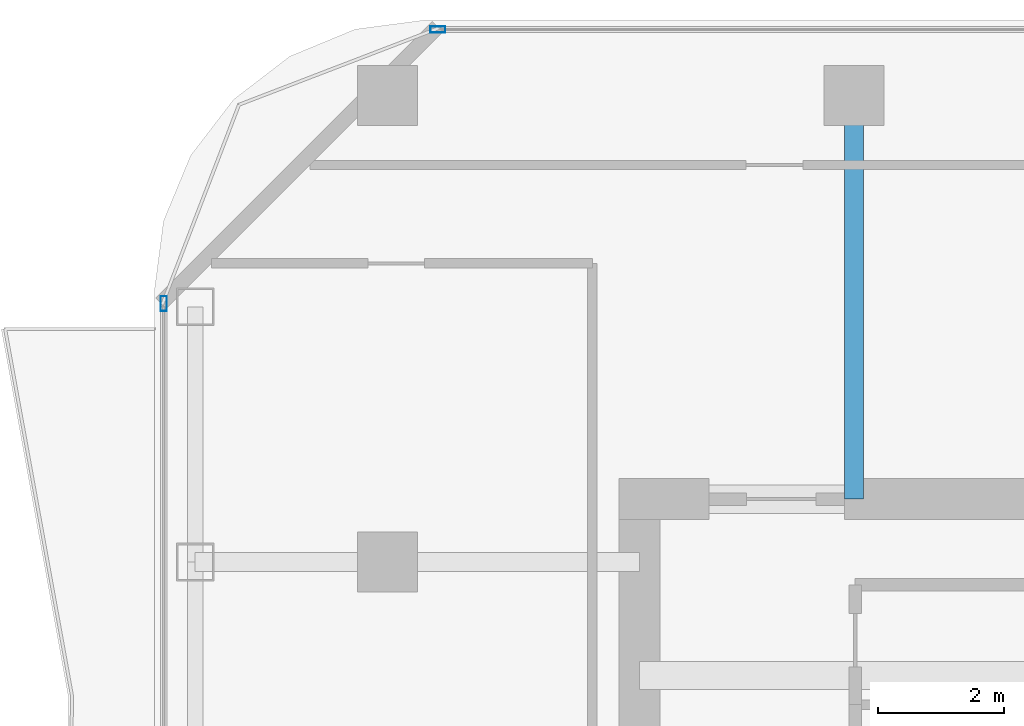
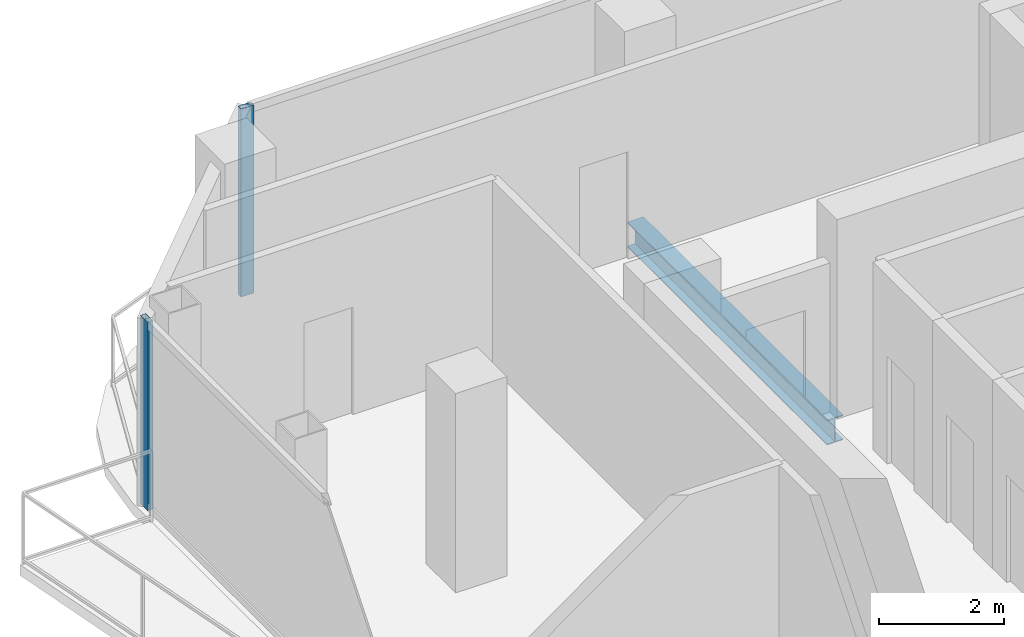
# One storey, part 13 of 27: 2 members, 1 beam, 2 elements without a shape of their own.
"""IFC4 building model written with IfcOpenShell, lengths in metres."""

from ifc_helpers import new_model, si_unit, direction, frame, origin, origin_2d, place, context, subcontext, project, spatial, hollow_rectangle, i_section, extrude, material, layer, layer_set, material_profile, profile_set, type_object, element, aggregate, save


model = new_model("IFC4")

# Units and contexts
model_context = context("Model", 3, precision=1e-05, world=origin(), true_north=direction((0.0, 1.0)))
body_context = subcontext(model_context, "Body", "Model", "MODEL_VIEW")
ifc_project = project(units=[si_unit("LENGTHUNIT", "METRE"), si_unit("AREAUNIT", "SQUARE_METRE"), si_unit("VOLUMEUNIT", "CUBIC_METRE"), si_unit("PLANEANGLEUNIT", "RADIAN"), si_unit("MASSUNIT", "GRAM", prefix="KILO")], contexts=[model_context])

# Site, building, storey
site_placement = place(None, origin())
site = spatial("IfcSite", under=ifc_project, at=site_placement, CompositionType="ELEMENT")
building_placement = place(site_placement, origin())
building = spatial("IfcBuilding", under=site, at=building_placement, Name="Khorvyn Point Tower", CompositionType="ELEMENT")
storey_placement = place(building_placement, frame((0.0, 0.0, 246.89990234375)))
storey = spatial("IfcBuildingStorey", under=building, at=storey_placement, Name="L60", CompositionType="ELEMENT", Elevation=246.89990234375)

# Curtain wall, member
ifc_material_1 = material(Name="Anodised aluminium 6063-T6 and laminated Low-E glass", Category="aluminium")
ifc_layer = layer(ifc_material_1, 0.18994140625)
ifc_layer_set = layer_set([ifc_layer], Name="Stick-Built Acoustic Curtain Wall CW-SYS-03")
curtain_wall_type = type_object("IfcCurtainWallType", Name="Stick-Built Acoustic Curtain Wall CW-SYS-03", PredefinedType="NOTDEFINED", material=ifc_layer_set)
curtain_wall_1_placement = place(storey_placement, origin())
curtain_wall_1 = element("IfcCurtainWall", 1, at=curtain_wall_1_placement, inside=storey, type_object=curtain_wall_type, Name="Curtain Wall", PredefinedType="NOTDEFINED")
ifc_material_2 = material(Name="Anodised aluminium 6063-T6", Category="aluminium")
ifc_material_profile_1 = material_profile(ifc_material_2, hollow_rectangle(XDim=0.10009765625, YDim=0.239990234375, WallThickness=0.0048828125, at=origin_2d()))
ifc_profile_set_1 = profile_set([ifc_material_profile_1], Name="Anodised aluminium 6063-T6 ALU-MUL-100x240")
member_type = type_object("IfcMemberType", Name="Anodised Aluminium 6063-T6 Mullion ALU-MUL-100x240", PredefinedType="MULLION", material=ifc_profile_set_1)
member_1_placement = place(storey_placement, frame((-14.0, 15.85009765625, 0.0), z_axis=(0.0, 0.0, 1.0), x_axis=(0.0, 1.0, 0.0)))
member_1 = element("IfcMember", 2, at=member_1_placement, type_object=member_type, Name="Transom", PredefinedType="MULLION", context=body_context, shape_type="SweptSolid", body=[
    extrude(hollow_rectangle(XDim=0.10009765625, YDim=0.239990234375, WallThickness=0.0048828125, at=origin_2d()), origin(), (0.0, 0.0, 1.0), 3.68017578125),
])
aggregate(curtain_wall_1, [member_1])

curtain_wall_2_placement = place(storey_placement, origin())
curtain_wall_2 = element("IfcCurtainWall", 3, at=curtain_wall_2_placement, inside=storey, type_object=curtain_wall_type, Name="Curtain Wall", PredefinedType="NOTDEFINED")
member_2_placement = place(storey_placement, frame((-18.35009765625, 11.5, 0.0), z_axis=(0.0, 0.0, 1.0), x_axis=(-1.0, 0.0, 0.0)))
member_2 = element("IfcMember", 4, at=member_2_placement, type_object=member_type, Name="Transom", PredefinedType="MULLION", context=body_context, shape_type="SweptSolid", body=[
    extrude(hollow_rectangle(XDim=0.10009765625, YDim=0.239990234375, WallThickness=0.0048828125, at=origin_2d()), origin(), (0.0, 0.0, 1.0), 3.68017578125),
])
aggregate(curtain_wall_2, [member_2])

# Beam
ifc_material_3 = material(Name="Steel S355", Category="steel")
ifc_material_profile_2 = material_profile(ifc_material_3, i_section(OverallWidth=0.300048828125, OverallDepth=0.488037109375, WebThickness=0.010986328125, FlangeThickness=0.01806640625, at=origin_2d()))
ifc_profile_set_2 = profile_set([ifc_material_profile_2], Name="Steel S355 H488x300x11x18")
beam_type = type_object("IfcBeamType", Name="Steel S355 Spandrel H488x300x11x18", PredefinedType="SPANDREL", material=ifc_profile_set_2)
beam_placement = place(storey_placement, frame((-7.39990234375, 8.39990234375, -0.4638671875), z_axis=(0.0, 1.0, 0.0), x_axis=(-1.0, 0.0, 0.0)))
element("IfcBeam", 5, at=beam_placement, inside=storey, type_object=beam_type, Name="Beam", PredefinedType="SPANDREL", context=body_context, shape_type="SweptSolid", body=[
    extrude(i_section(OverallWidth=0.300048828125, OverallDepth=0.488037109375, WebThickness=0.010986328125, FlangeThickness=0.01806640625, at=origin_2d()), origin(), (0.0, 0.0, 1.0), 6.400146484375),
])

save(model, "model.ifc")
